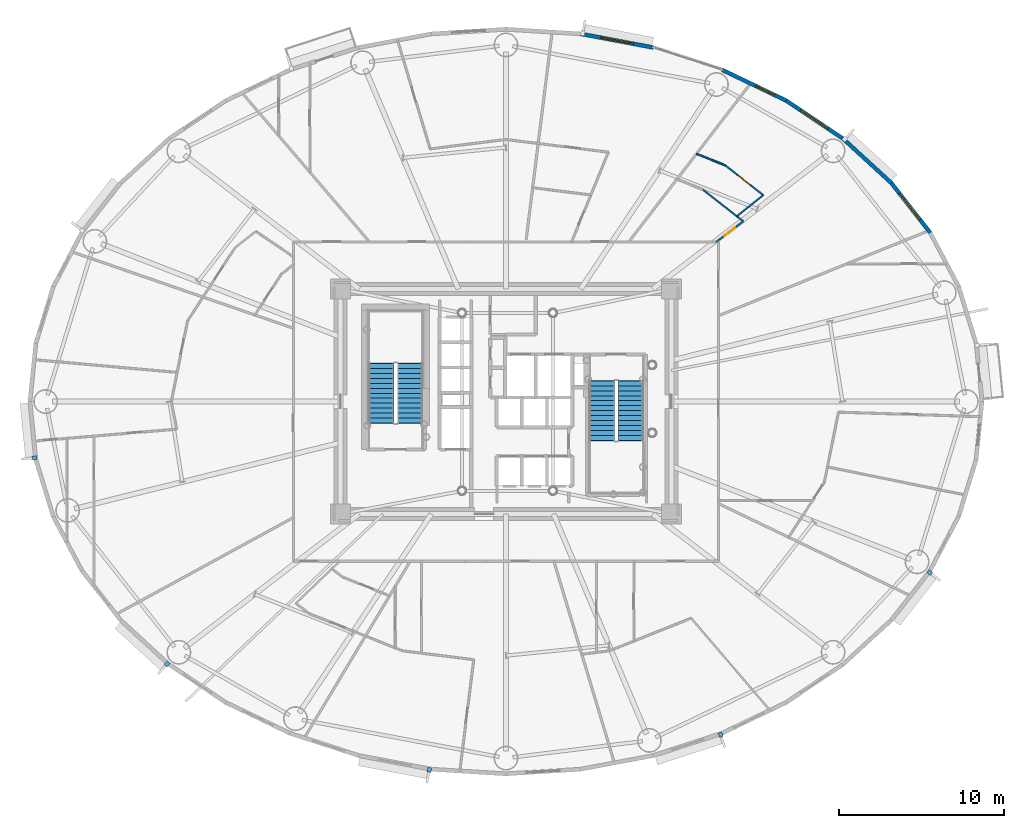
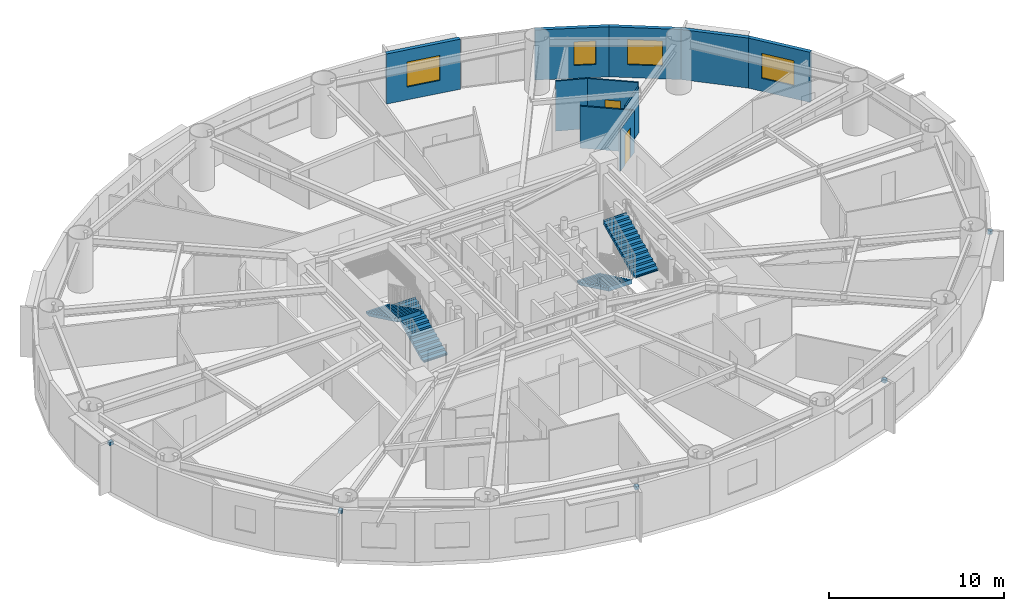
# One storey, part 14 of 21: 10 walls, 5 discrete accessories, 4 stair flights, 4 windows, 2 doors, 6 openings, 2 elements without a shape of their own.
"""IFC4 building model written with IfcOpenShell, lengths in metres."""

from ifc_helpers import new_model, si_unit, direction, frame, frame_2d, origin, origin_2d, place, context, subcontext, project, spatial, polyline, rectangle, outline, extrude, source, transform, mapped, material, layer, layer_set, type_object, element, fill, aggregate, save


model = new_model("IFC4")

# Units and contexts
model_context = context("Model", 3, precision=1e-05, world=origin(), true_north=direction((0.0, 1.0)))
body_context = subcontext(model_context, "Body", "Model", "MODEL_VIEW")
ifc_project = project(units=[si_unit("LENGTHUNIT", "METRE"), si_unit("AREAUNIT", "SQUARE_METRE"), si_unit("VOLUMEUNIT", "CUBIC_METRE"), si_unit("PLANEANGLEUNIT", "RADIAN"), si_unit("MASSUNIT", "GRAM", prefix="KILO")], contexts=[model_context])

# Site, building, storey
site_placement = place(None, origin())
site = spatial("IfcSite", under=ifc_project, at=site_placement, CompositionType="ELEMENT")
building_placement = place(site_placement, origin())
building = spatial("IfcBuilding", under=site, at=building_placement, Name="Linh Dai School and Residence Tower", CompositionType="ELEMENT")
storey_placement = place(building_placement, frame((0.0, 0.0, 97.199951171875)))
storey = spatial("IfcBuildingStorey", under=building, at=storey_placement, Name="L22", CompositionType="ELEMENT", Elevation=97.199951171875)

# Wall, opening, window
ifc_material_1 = material(Name="Precast Concrete B45 (C35/45)", Category="concrete")
ifc_layer_1 = layer(ifc_material_1, 0.239990234375)
ifc_layer_set_1 = layer_set([ifc_layer_1], Name="Precast Concrete B45 (C35/45)")
wall_type_1 = type_object("IfcWallType", Name="EW-TC-240", PredefinedType="SOLIDWALL", material=ifc_layer_set_1)
wall_1_placement = place(storey_placement, frame((59.2890625, 40.216552734375, 0.0), z_axis=(0.0, 0.0, 1.0), x_axis=(0.616272103517, -0.787533297345, 0.0)))
wall_1 = element("IfcWall", 1, at=wall_1_placement, inside=storey, type_object=wall_type_1, Name="L22 Terracotta Exterior Wall 04", PredefinedType="SOLIDWALL", context=body_context, shape_type="SweptSolid", body=[
    extrude(rectangle(XDim=3.8232421875, YDim=0.239990234375, at=frame_2d((1.91162109375, 0.0))), origin(), (0.0, 0.0, 1.0), 3.5),
])
opening_1_placement = place(wall_1_placement, frame((0.823974609375, 0.0, 0.89990234375)))
opening_1 = element("IfcOpeningElement", 2, at=opening_1_placement, cuts=wall_1, Name="Opening W1", PredefinedType="OPENING", context=body_context, shape_type="SweptSolid", body=[
    extrude(rectangle(XDim=2.0, YDim=1.75, at=origin_2d()), frame((1.0, 0.1298828125, 0.875), z_axis=(0.0, -1.0, 0.0), x_axis=(1.0, 0.0, 0.0)), (0.0, 0.0, 1.0), 0.260009765625),
])
ifc_material_2 = material(Name="Double Low-E Insulated Glazing", Category="glass")
window_type_1 = type_object("IfcWindowType", Name="WN-RES-2000x1750", PartitioningType="DOUBLE_PANEL_VERTICAL", PredefinedType="WINDOW", material=ifc_material_2)
shared_shape_1 = source(origin(), body_context, "Body", "SweptSolid", [
    extrude(rectangle(XDim=2.0, YDim=1.75, at=origin_2d()), frame((1.0, 0.030029296875, 0.875), z_axis=(0.0, -1.0, 0.0), x_axis=(1.0, 0.0, 0.0)), (0.0, 0.0, 1.0), 0.06005859375),
])
window_1_placement = place(opening_1_placement, origin())
window_1 = element("IfcWindow", 3, at=window_1_placement, inside=storey, type_object=window_type_1, Name="L22 Exterior Window 04.1", OverallHeight=1.75, OverallWidth=2.0, PartitioningType="DOUBLE_PANEL_VERTICAL", PredefinedType="WINDOW", context=body_context, shape_type="MappedRepresentation", body=[
    mapped(shared_shape_1, transform((0.0, 0.0, 0.0), x_axis=(1.0, 0.0, 0.0), y_axis=(0.0, 1.0, 0.0), z_axis=(0.0, 0.0, 1.0), scale=1.0)),
])
fill(opening_1, window_1)

# Wall
wall_2_placement = place(storey_placement, frame((56.3583984375, 42.9033203125, 0.0), z_axis=(0.0, 0.0, 1.0), x_axis=(0.737113356241, -0.675769117414, 0.0)))
element("IfcWall", 4, at=wall_2_placement, inside=storey, type_object=wall_type_1, Name="L22 Terracotta Exterior Wall 05", PredefinedType="SOLIDWALL", context=body_context, shape_type="SweptSolid", body=[
    extrude(rectangle(XDim=3.975830078125, YDim=0.239990234375, at=frame_2d((1.98779296875, 0.0))), origin(), (0.0, 0.0, 1.0), 3.5),
])

# Wall, opening, window
wall_3_placement = place(storey_placement, frame((52.92529296875, 45.199462890625, 0.0), z_axis=(0.0, 0.0, 1.0), x_axis=(0.831221811447, -0.555940914284, 0.0)))
wall_3 = element("IfcWall", 5, at=wall_3_placement, inside=storey, type_object=wall_type_1, Name="L22 Terracotta Exterior Wall 06", PredefinedType="SOLIDWALL", context=body_context, shape_type="SweptSolid", body=[
    extrude(rectangle(XDim=4.130126953125, YDim=0.239990234375, at=frame_2d((2.06494140625, 0.0))), origin(), (0.0, 0.0, 1.0), 3.5),
])
opening_2_placement = place(wall_3_placement, frame((1.06494140625, 0.0, 0.89990234375)))
opening_2 = element("IfcOpeningElement", 6, at=opening_2_placement, cuts=wall_3, Name="Opening W1", PredefinedType="OPENING", context=body_context, shape_type="SweptSolid", body=[
    extrude(rectangle(XDim=2.0, YDim=1.75, at=origin_2d()), frame((1.0, 0.1298828125, 0.875), z_axis=(0.0, -1.0, 0.0), x_axis=(1.0, 0.0, 0.0)), (0.0, 0.0, 1.0), 0.260009765625),
])
window_2_placement = place(opening_2_placement, origin())
window_2 = element("IfcWindow", 7, at=window_2_placement, inside=storey, type_object=window_type_1, Name="L22 Exterior Window 06.1", OverallHeight=1.75, OverallWidth=2.0, PartitioningType="DOUBLE_PANEL_VERTICAL", PredefinedType="WINDOW", context=body_context, shape_type="MappedRepresentation", body=[
    mapped(shared_shape_1, transform((0.0, 0.0, 0.0), x_axis=(1.0, 0.0, 0.0), y_axis=(0.0, 1.0, 0.0), z_axis=(0.0, 0.0, 1.0), scale=1.0)),
])
fill(opening_2, window_2)

wall_4_placement = place(storey_placement, frame((49.073974609375, 47.04736328125, 0.0), z_axis=(0.0, 0.0, 1.0), x_axis=(0.901589935876, -0.432591709962, 0.0)))
wall_4 = element("IfcWall", 8, at=wall_4_placement, inside=storey, type_object=wall_type_1, Name="L22 Terracotta Exterior Wall 07", PredefinedType="SOLIDWALL", context=body_context, shape_type="SweptSolid", body=[
    extrude(rectangle(XDim=4.271728515625, YDim=0.239990234375, at=frame_2d((2.1357421875, 0.0))), origin(), (0.0, 0.0, 1.0), 3.5),
])
opening_3_placement = place(wall_4_placement, frame((2.251953125, 0.0, 0.89990234375)))
opening_3 = element("IfcOpeningElement", 9, at=opening_3_placement, cuts=wall_4, Name="Opening W3", PredefinedType="OPENING", context=body_context, shape_type="SweptSolid", body=[
    extrude(rectangle(XDim=1.25, YDim=1.64990234375, at=origin_2d()), frame((0.625, 0.1298828125, 0.824951171875), z_axis=(0.0, -1.0, 0.0), x_axis=(1.0, 0.0, 0.0)), (0.0, 0.0, 1.0), 0.260009765625),
])
window_type_2 = type_object("IfcWindowType", Name="WN-RES-1250x1650", PartitioningType="SINGLE_PANEL", PredefinedType="WINDOW", material=ifc_material_2)
shared_shape_2 = source(origin(), body_context, "Body", "SweptSolid", [
    extrude(rectangle(XDim=1.25, YDim=1.64990234375, at=origin_2d()), frame((0.625, 0.030029296875, 0.824951171875), z_axis=(0.0, -1.0, 0.0), x_axis=(1.0, 0.0, 0.0)), (0.0, 0.0, 1.0), 0.06005859375),
])
window_3_placement = place(opening_3_placement, origin())
window_3 = element("IfcWindow", 10, at=window_3_placement, inside=storey, type_object=window_type_2, Name="L22 Exterior Window 07.1", OverallHeight=1.64990234375, OverallWidth=1.25, PartitioningType="SINGLE_PANEL", PredefinedType="WINDOW", context=body_context, shape_type="MappedRepresentation", body=[
    mapped(shared_shape_2, transform((0.0, 0.0, 0.0), x_axis=(1.0, 0.0, 0.0), y_axis=(0.0, 1.0, 0.0), z_axis=(0.0, 0.0, 1.0), scale=1.0)),
])
fill(opening_3, window_3)

wall_5_placement = place(storey_placement, frame((40.505615234375, 49.227294921875, 0.0), z_axis=(0.0, 0.0, 1.0), x_axis=(0.982789252177, -0.184730305596, 0.0)))
wall_5 = element("IfcWall", 11, at=wall_5_placement, inside=storey, type_object=wall_type_1, Name="L22 Terracotta Exterior Wall 09", PredefinedType="SOLIDWALL", context=body_context, shape_type="SweptSolid", body=[
    extrude(rectangle(XDim=4.470947265625, YDim=0.239990234375, at=frame_2d((2.2353515625, 0.0))), origin(), (0.0, 0.0, 1.0), 3.5),
])
opening_4_placement = place(wall_5_placement, frame((1.235595703125, 0.0, 0.89990234375)))
opening_4 = element("IfcOpeningElement", 12, at=opening_4_placement, cuts=wall_5, Name="Opening W1", PredefinedType="OPENING", context=body_context, shape_type="SweptSolid", body=[
    extrude(rectangle(XDim=2.0, YDim=1.75, at=origin_2d()), frame((1.0, 0.1298828125, 0.875), z_axis=(0.0, -1.0, 0.0), x_axis=(1.0, 0.0, 0.0)), (0.0, 0.0, 1.0), 0.260009765625),
])
window_4_placement = place(opening_4_placement, origin())
window_4 = element("IfcWindow", 13, at=window_4_placement, inside=storey, type_object=window_type_1, Name="L22 Exterior Window 09.1", OverallHeight=1.75, OverallWidth=2.0, PartitioningType="DOUBLE_PANEL_VERTICAL", PredefinedType="WINDOW", context=body_context, shape_type="MappedRepresentation", body=[
    mapped(shared_shape_1, transform((0.0, 0.0, 0.0), x_axis=(1.0, 0.0, 0.0), y_axis=(0.0, 1.0, 0.0), z_axis=(0.0, 0.0, 1.0), scale=1.0)),
])
fill(opening_4, window_4)

# Walls
ifc_material_3 = material(Name="Gypsum Plasterboard Acoustic Stud Partition", Category="masonry")
ifc_layer_2 = layer(ifc_material_3, 0.10009765625)
ifc_layer_set_2 = layer_set([ifc_layer_2], Name="Gypsum Plasterboard Acoustic Stud Partition")
wall_type_2 = type_object("IfcWallType", Name="IW-UNIT-100", PredefinedType="PARTITIONING", material=ifc_layer_set_2)
wall_6_placement = place(storey_placement, frame((47.513671875, 41.972900390625, 0.0), z_axis=(0.0, 0.0, 1.0), x_axis=(0.928809612726, -0.370557287485, 0.0)))
element("IfcWall", 14, at=wall_6_placement, inside=storey, type_object=wall_type_2, Name="L22 Interior Partition Wall 082", PredefinedType="PARTITIONING", context=body_context, shape_type="SweptSolid", body=[
    extrude(rectangle(XDim=1.869140625, YDim=0.10009765625, at=frame_2d((0.9345703125, 0.0))), origin(), (0.0, 0.0, 1.0), 3.5),
])
wall_7_placement = place(storey_placement, frame((47.890869140625, 39.815673828125, 0.0), z_axis=(0.0, 0.0, 1.0), x_axis=(0.787339621997, -0.616519520887, 0.0)))
element("IfcWall", 15, at=wall_7_placement, inside=storey, type_object=wall_type_2, Name="L22 Interior Partition Wall 083", PredefinedType="PARTITIONING", context=body_context, shape_type="SweptSolid", body=[
    extrude(rectangle(XDim=3.11572265625, YDim=0.10009765625, at=frame_2d((1.557861328125, 0.0))), origin(), (0.0, 0.0, 1.0), 2.93505859375),
])

# Wall, opening, door
wall_8_placement = place(storey_placement, frame((48.703857421875, 36.64990234375, 0.0), z_axis=(0.0, 0.0, 1.0), x_axis=(0.796299280247, 0.604902848628, 0.0)))
wall_8 = element("IfcWall", 16, at=wall_8_placement, inside=storey, type_object=wall_type_2, Name="L22 Interior Partition Wall 084", PredefinedType="PARTITIONING", context=body_context, shape_type="SweptSolid", body=[
    extrude(rectangle(XDim=2.058837890625, YDim=0.10009765625, at=frame_2d((1.029296875, 0.0))), origin(), (0.0, 0.0, 1.0), 2.93505859375),
])
opening_5_placement = place(wall_8_placement, frame((0.619384765625, 0.0, 0.0)))
opening_5 = element("IfcOpeningElement", 17, at=opening_5_placement, cuts=wall_8, Name="Opening D06", PredefinedType="OPENING", context=body_context, shape_type="SweptSolid", body=[
    extrude(rectangle(XDim=0.820068359375, YDim=2.10009765625, at=origin_2d()), frame((0.41015625, 0.06005859375, 1.050048828125), z_axis=(0.0, -1.0, 0.0), x_axis=(1.0, 0.0, 0.0)), (0.0, 0.0, 1.0), 0.1201171875),
])
ifc_material_4 = material(Name="Moisture-Resistant Timber Bathroom Door", Category="wood")
door_type_1 = type_object("IfcDoorType", Name="DR-WET-820x2100", OperationType="NOTDEFINED", PredefinedType="DOOR", material=ifc_material_4)
shared_shape_3 = source(origin(), body_context, "Body", "SweptSolid", [
    extrude(rectangle(XDim=0.820068359375, YDim=2.10009765625, at=origin_2d()), frame((0.41015625, 0.02490234375, 1.050048828125), z_axis=(0.0, -1.0, 0.0), x_axis=(1.0, 0.0, 0.0)), (0.0, 0.0, 1.0), 0.050048828125),
])
door_1_placement = place(opening_5_placement, origin())
door_1 = element("IfcDoor", 18, at=door_1_placement, inside=storey, type_object=door_type_1, Name="L22 Apartment U2201 Bathroom Door", OperationType="SINGLE_SWING_RIGHT", OverallHeight=2.10009765625, OverallWidth=0.820068359375, PredefinedType="DOOR", context=body_context, shape_type="MappedRepresentation", body=[
    mapped(shared_shape_3, transform((0.0, 0.0, 0.0), x_axis=(1.0, 0.0, 0.0), y_axis=(0.0, 1.0, 0.0), z_axis=(0.0, 0.0, 1.0), scale=1.0)),
])
fill(opening_5, door_1)

wall_9_placement = place(storey_placement, frame((49.249755859375, 41.2802734375, 0.0), z_axis=(0.0, 0.0, 1.0), x_axis=(0.787360471536, -0.616492893602, 0.0)))
wall_9 = element("IfcWall", 19, at=wall_9_placement, inside=storey, type_object=wall_type_2, Name="L22 Interior Partition Wall 089", PredefinedType="PARTITIONING", context=body_context, shape_type="SweptSolid", body=[
    extrude(rectangle(XDim=2.92333984375, YDim=0.10009765625, at=frame_2d((1.461669921875, 0.0))), origin(), (0.0, 0.0, 1.0), 3.5),
])
opening_6_placement = place(wall_9_placement, frame((1.01171875, 0.0, 0.0)))
opening_6 = element("IfcOpeningElement", 20, at=opening_6_placement, cuts=wall_9, Name="Opening D05", PredefinedType="OPENING", context=body_context, shape_type="SweptSolid", body=[
    extrude(rectangle(XDim=0.89990234375, YDim=2.10009765625, at=origin_2d()), frame((0.449951171875, 0.06005859375, 1.050048828125), z_axis=(0.0, -1.0, 0.0), x_axis=(1.0, 0.0, 0.0)), (0.0, 0.0, 1.0), 0.1201171875),
])
ifc_material_5 = material(Name="Engineered Timber Internal Door", Category="wood")
door_type_2 = type_object("IfcDoorType", Name="DR-INT-900x2100", OperationType="NOTDEFINED", PredefinedType="DOOR", material=ifc_material_5)
shared_shape_4 = source(origin(), body_context, "Body", "SweptSolid", [
    extrude(rectangle(XDim=0.89990234375, YDim=2.10009765625, at=origin_2d()), frame((0.449951171875, 0.02490234375, 1.050048828125), z_axis=(0.0, -1.0, 0.0), x_axis=(1.0, 0.0, 0.0)), (0.0, 0.0, 1.0), 0.050048828125),
])
door_2_placement = place(opening_6_placement, origin())
door_2 = element("IfcDoor", 21, at=door_2_placement, inside=storey, type_object=door_type_2, Name="L22 Apartment U2201 Kitchen Door", OperationType="SINGLE_SWING_LEFT", OverallHeight=2.10009765625, OverallWidth=0.89990234375, PredefinedType="DOOR", context=body_context, shape_type="MappedRepresentation", body=[
    mapped(shared_shape_4, transform((0.0, 0.0, 0.0), x_axis=(1.0, 0.0, 0.0), y_axis=(0.0, 1.0, 0.0), z_axis=(0.0, 0.0, 1.0), scale=1.0)),
])
fill(opening_6, door_2)

# Wall
wall_10_placement = place(storey_placement, frame((49.956298828125, 38.1982421875, 0.0), z_axis=(0.0, 0.0, 1.0), x_axis=(0.78000622602, 0.625771753413, 0.0)))
element("IfcWall", 22, at=wall_10_placement, inside=storey, type_object=wall_type_2, Name="L22 Interior Partition Wall 090", PredefinedType="PARTITIONING", context=body_context, shape_type="SweptSolid", body=[
    extrude(rectangle(XDim=2.045166015625, YDim=0.10009765625, at=frame_2d((1.0224609375, 0.0))), origin(), (0.0, 0.0, 1.0), 3.18505859375),
])

# Stair, stair flights
ifc_material_6 = material(Name="Concrete B45 (C35/45)", Category="concrete")
stair_type = type_object("IfcStairType", Name="ST-DOG-1550-R1442", PredefinedType="HALF_TURN_STAIR", material=ifc_material_6)
stair_1_placement = place(storey_placement, origin())
stair_1 = element("IfcStair", 23, at=stair_1_placement, inside=storey, type_object=stair_type, Name="L22 Core Smokeproof Exit Stair ST1", PredefinedType="HALF_TURN_STAIR")
stair_flight_type = type_object("IfcStairFlightType", Name="STF-STR-1550-R1442", PredefinedType="STRAIGHT", material=ifc_material_6)
shared_shape_5 = source(origin(), body_context, "Body", "SweptSolid", [
    extrude(outline(polyline([(-0.02490234375, 0.0), (-0.02490234375, 0.06005859375), (0.0, 0.06005859375), (0.0, 0.144287109375), (0.300048828125, 0.144287109375), (0.300048828125, 0.28857421875), (0.60009765625, 0.28857421875), (0.60009765625, 0.4326171875), (0.89990234375, 0.4326171875), (0.89990234375, 0.576904296875), (1.199951171875, 0.576904296875), (1.199951171875, 0.72119140625), (1.5, 0.72119140625), (1.5, 0.865478515625), (1.800048828125, 0.865478515625), (1.800048828125, 1.009521484375), (2.10009765625, 1.009521484375), (2.10009765625, 1.15380859375), (2.39990234375, 1.15380859375), (2.39990234375, 1.298095703125), (2.699951171875, 1.298095703125), (2.699951171875, 1.4423828125), (3.0, 1.4423828125), (3.0, 1.58642578125), (3.300048828125, 1.58642578125), (3.300048828125, 1.730712890625), (3.60009765625, 1.730712890625), (3.60009765625, 1.875), (3.625, 1.875), (3.625, 1.564453125), (3.60009765625, 1.564453125), (0.345947265625, 0.0), (-0.02490234375, 0.0)])), frame((0.0, 0.77490234375, 0.0), z_axis=(0.0, -1.0, 0.0), x_axis=(1.0, 0.0, 0.0)), (0.0, 0.0, 1.0), 1.550048828125),
])
stair_flight_1_placement = place(storey_placement, frame((30.205078125, 25.699951171875, 0.0), z_axis=(0.0, 0.0, 1.0), x_axis=(0.0, 1.0, 0.0)))
stair_flight_1 = element("IfcStairFlight", 24, at=stair_flight_1_placement, type_object=stair_flight_type, Name="ST1 flight 1", NumberOfRisers=13, NumberOfTreads=12, PredefinedType="STRAIGHT", RiserHeight=0.144230769, TreadLength=0.3, context=body_context, shape_type="MappedRepresentation", body=[
    mapped(shared_shape_5, transform((0.0, 0.0, 0.0), x_axis=(1.0, 0.0, 0.0), y_axis=(0.0, 1.0, 0.0), z_axis=(0.0, 0.0, 1.0), scale=1.0)),
])
stair_flight_2_placement = place(storey_placement, frame((28.455078125, 29.300048828125, 1.875), z_axis=(0.0, 0.0, 1.0), x_axis=(0.0, -1.0, 0.0)))
stair_flight_2 = element("IfcStairFlight", 25, at=stair_flight_2_placement, type_object=stair_flight_type, Name="ST1 flight 2", NumberOfRisers=13, NumberOfTreads=12, PredefinedType="STRAIGHT", RiserHeight=0.144230769, TreadLength=0.3, context=body_context, shape_type="MappedRepresentation", body=[
    mapped(shared_shape_5, transform((0.0, 0.0, 0.0), x_axis=(1.0, 0.0, 0.0), y_axis=(0.0, 1.0, 0.0), z_axis=(0.0, 0.0, 1.0), scale=1.0)),
])
aggregate(stair_1, [stair_flight_1, stair_flight_2])

stair_2_placement = place(storey_placement, origin())
stair_2 = element("IfcStair", 26, at=stair_2_placement, inside=storey, type_object=stair_type, Name="L22 Core Smokeproof Exit Stair ST2", PredefinedType="HALF_TURN_STAIR")
stair_flight_3_placement = place(storey_placement, frame((41.794921875, 28.25, 0.0), z_axis=(0.0, 0.0, 1.0), x_axis=(0.0, -1.0, 0.0)))
stair_flight_3 = element("IfcStairFlight", 27, at=stair_flight_3_placement, type_object=stair_flight_type, Name="ST2 flight 1", NumberOfRisers=13, NumberOfTreads=12, PredefinedType="STRAIGHT", RiserHeight=0.144230769, TreadLength=0.3, context=body_context, shape_type="MappedRepresentation", body=[
    mapped(shared_shape_5, transform((0.0, 0.0, 0.0), x_axis=(1.0, 0.0, 0.0), y_axis=(0.0, 1.0, 0.0), z_axis=(0.0, 0.0, 1.0), scale=1.0)),
])
stair_flight_4_placement = place(storey_placement, frame((43.544921875, 24.64990234375, 1.875), z_axis=(0.0, 0.0, 1.0), x_axis=(0.0, 1.0, 0.0)))
stair_flight_4 = element("IfcStairFlight", 28, at=stair_flight_4_placement, type_object=stair_flight_type, Name="ST2 flight 2", NumberOfRisers=13, NumberOfTreads=12, PredefinedType="STRAIGHT", RiserHeight=0.144230769, TreadLength=0.3, context=body_context, shape_type="MappedRepresentation", body=[
    mapped(shared_shape_5, transform((0.0, 0.0, 0.0), x_axis=(1.0, 0.0, 0.0), y_axis=(0.0, 1.0, 0.0), z_axis=(0.0, 0.0, 1.0), scale=1.0)),
])
aggregate(stair_2, [stair_flight_3, stair_flight_4])

# Discrete accessories
ifc_material_7 = material(Name="Structural Steel S355JR", Category="steel")
discrete_accessory_type = type_object("IfcDiscreteAccessoryType", Name="ACC-BRK-S355", PredefinedType="BRACKET", material=ifc_material_7)
shared_shape_6 = source(origin(), body_context, "Body", "SweptSolid", [
    extrude(rectangle(XDim=0.280029296875, YDim=0.239990234375, at=origin_2d()), origin(), (0.0, 0.0, 1.0), 0.219970703125),
])
for number, where, z_axis, x_axis, name in (
    (29, (7.506591796875, 23.59814453125, 3.25), (0.0, 0.0, 1.0), (-0.994986703684, -0.100007297192, 0.0), "L22 Facade Frame Anchor Bracket 21"),
    (30, (15.5126953125, 11.133544921875, 3.25), (0.0, 0.0, 1.0), (-0.675783395482, -0.737100266172, 0.0), "L22 Facade Frame Anchor Bracket 25"),
    (31, (31.365478515625, 4.73583984375, 3.25), (0.0, 0.0, 1.0), (-0.18475466193, -0.982784673718, 0.0), "L22 Facade Frame Anchor Bracket 29"),
    (32, (48.978271484375, 6.8583984375, 3.25), (0.0, 0.0, 1.0), (0.308522363457, -0.951217089442, 0.0), "L22 Facade Frame Anchor Bracket 33"),
    (33, (61.61865234375, 16.662841796875, 3.25), (0.0, 0.0, 1.0), (0.787507539838, -0.616305017583, 0.0), "L22 Facade Frame Anchor Bracket 37"),
):
    element("IfcDiscreteAccessory", number, at=place(storey_placement, frame(where, z_axis=z_axis, x_axis=x_axis)), inside=storey, type_object=discrete_accessory_type, Name=name, PredefinedType="BRACKET", context=body_context, shape_type="MappedRepresentation", body=[
        mapped(shared_shape_6, transform((0.0, 0.0, 0.0), x_axis=(1.0, 0.0, 0.0), y_axis=(0.0, 1.0, 0.0), z_axis=(0.0, 0.0, 1.0), scale=1.0)),
    ])

save(model, "model.ifc")
